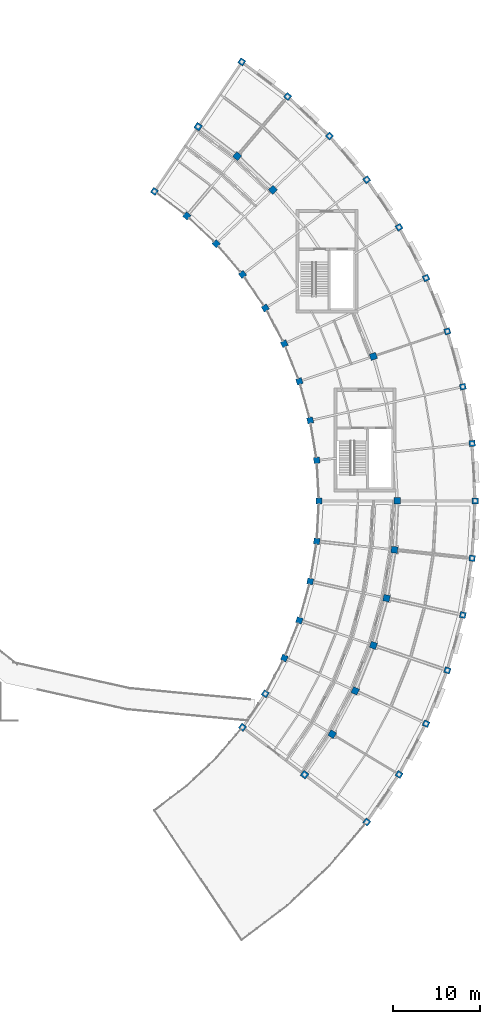
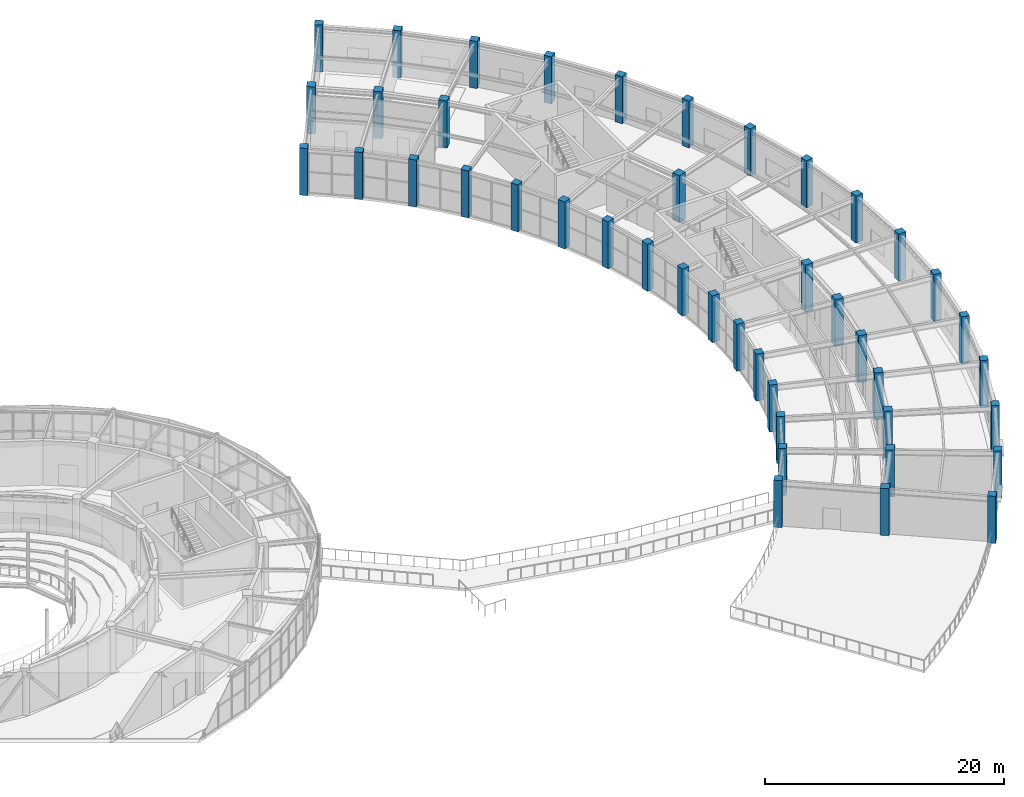
# One storey, part 12 of 100: 43 columns.
"""IFC4 building model written with IfcOpenShell, lengths in metres."""

import ifcopenshell
import ifcopenshell.guid

model = None  # the IFC model being written
_history = None  # IfcOwnerHistory: only IFC2X3 demands one
_inside = {}  # id of a spatial element -> (the spatial element, [elements in it])
_under = {}  # id of a project, library or spatial element -> (it, [spatial elements below it])
_declared = {}  # id of a project -> (the project, [libraries it declares])
_typed = {}  # id of a type object -> (the type object, [elements of that type])
_made_of = {}  # id of a material, layer set ... -> (it, [elements and type objects made of it])


def new_model(schema):
    """Start an empty IFC model of exactly this schema.

    Asked for "IFC4X3", IfcOpenShell would pick the latest addendum, in which some entities
    have other attributes; the version numbers below select the first issue.
    IFC2X3 requires an IfcOwnerHistory on every rooted entity: one is made here for all.
    """
    global model, _history
    if schema == "IFC4X3":
        model = ifcopenshell.file(schema_version=(4, 3, 0, 0))
    else:
        model = ifcopenshell.file(schema=schema)
    _inside.clear()
    _under.clear()
    _declared.clear()
    _typed.clear()
    _made_of.clear()
    _history = None
    if model.schema == "IFC2X3":
        org = make("IfcOrganization", Name="unknown")
        user = make(
            "IfcPersonAndOrganization",
            ThePerson=make("IfcPerson", FamilyName="unknown"),
            TheOrganization=org,
        )
        app = make(
            "IfcApplication",
            ApplicationDeveloper=org,
            Version="unknown",
            ApplicationFullName="unknown",
            ApplicationIdentifier="unknown",
        )
        _history = make(
            "IfcOwnerHistory",
            OwningUser=user,
            OwningApplication=app,
            ChangeAction="ADDED",
            CreationDate=0,
        )
    return model


def make(cls, **values):
    """One entity of the class cls with the attributes given. An attribute that is None is left unset."""
    return model.create_entity(
        cls, **{name: value for name, value in values.items() if value is not None}
    )


def rooted(cls, **values):
    """An entity with a GlobalId (a new one), such as an element, a storey or a relation."""
    return make(cls, GlobalId=ifcopenshell.guid.new(), OwnerHistory=_history, **values)


def si_unit(unit_type, name, prefix=None):
    """IfcSIUnit, for example si_unit("LENGTHUNIT", "METRE", prefix="MILLI")."""
    return make("IfcSIUnit", UnitType=unit_type, Prefix=prefix, Name=name)


def assignment(units):
    """IfcUnitAssignment: the units of a project."""
    return None if units is None else make("IfcUnitAssignment", Units=units)


def point(xyz):
    """IfcCartesianPoint."""
    return None if xyz is None else make("IfcCartesianPoint", Coordinates=xyz)


def direction(xyz):
    """IfcDirection."""
    return None if xyz is None else make("IfcDirection", DirectionRatios=xyz)


def frame(location, z_axis=None, x_axis=None):
    """IfcAxis2Placement3D, a coordinate frame: its origin and axes. An axis left out is left unset."""
    return make(
        "IfcAxis2Placement3D",
        Location=point(location),
        Axis=direction(z_axis),
        RefDirection=direction(x_axis),
    )


def frame_2d(location, x_axis=None):
    """IfcAxis2Placement2D, a coordinate frame in the plane: its origin and x axis."""
    return make(
        "IfcAxis2Placement2D", Location=point(location), RefDirection=direction(x_axis)
    )


def origin():
    """The frame at (0, 0, 0) with its axes left unset."""
    return frame((0.0, 0.0, 0.0))


def origin_2d():
    """The frame at (0, 0) in the plane with its x axis left unset."""
    return frame_2d((0.0, 0.0))


def place(relative_to, where):
    """IfcLocalPlacement: puts the frame where relative to a parent placement (None: the world)."""
    return make(
        "IfcLocalPlacement", PlacementRelTo=relative_to, RelativePlacement=where
    )


def context(
    kind, dimensions, precision=None, world=None, true_north=None, identifier=None
):
    """IfcGeometricRepresentationContext, for example the 3D "Model" context."""
    return make(
        "IfcGeometricRepresentationContext",
        ContextIdentifier=identifier,
        ContextType=kind,
        CoordinateSpaceDimension=dimensions,
        Precision=precision,
        WorldCoordinateSystem=world,
        TrueNorth=true_north,
    )


def subcontext(parent, identifier, kind, view, scale=None):
    """IfcGeometricRepresentationSubContext, for example "Body" below "Model"."""
    return make(
        "IfcGeometricRepresentationSubContext",
        ContextIdentifier=identifier,
        ContextType=kind,
        ParentContext=parent,
        TargetScale=scale,
        TargetView=view,
    )


def project(units=None, contexts=None):
    """IfcProject with its units and contexts."""
    return rooted(
        "IfcProject",
        Name="project",
        RepresentationContexts=contexts,
        UnitsInContext=assignment(units),
    )


def spatial(cls, under=None, at=None, **own):
    """A site, building, storey or space (cls), placed at a placement, below another one or the project."""
    s = rooted(cls, ObjectPlacement=at, **own)
    if under is not None:
        _under.setdefault(under.id(), (under, []))[1].append(s)
    return s


def profile(cls, at=None, kind="AREA", **sizes):
    """A parametric profile (cls). Its sizes go by their IFC names, for example OverallWidth=200.0."""
    return make(cls, ProfileType=kind, Position=at, **sizes)


def rectangle(**sizes):
    """IfcRectangleProfileDef."""
    return profile("IfcRectangleProfileDef", **sizes)


def extrude(swept, where, along, depth):
    """IfcExtrudedAreaSolid: the profile swept, set in the frame where, extruded along a direction by depth."""
    return make(
        "IfcExtrudedAreaSolid",
        SweptArea=swept,
        Position=where,
        ExtrudedDirection=direction(along),
        Depth=depth,
    )


def shape(context_of_items, identifier, shape_type, items):
    """IfcShapeRepresentation: the items that make up one representation, for example the "Body"."""
    return make(
        "IfcShapeRepresentation",
        ContextOfItems=context_of_items,
        RepresentationIdentifier=identifier,
        RepresentationType=shape_type,
        Items=items,
    )


def material(Name=None, Category=None):
    """IfcMaterial."""
    return make("IfcMaterial", Name=Name, Category=Category)


def material_profile(
    of_material, cross_section, Name=None, Category=None, Priority=None
):
    """IfcMaterialProfile: a cross section and its material."""
    return make(
        "IfcMaterialProfile",
        Name=Name,
        Material=of_material,
        Profile=cross_section,
        Priority=Priority,
        Category=Category,
    )


def profile_set(profiles, Name=None, composite=None):
    """IfcMaterialProfileSet."""
    return make(
        "IfcMaterialProfileSet",
        Name=Name,
        MaterialProfiles=profiles,
        CompositeProfile=composite,
    )


def made_of(thing, what):
    """Note that an element or type object is made of a material, layer set ...; save() writes the relation."""
    if what is not None:
        _made_of.setdefault(what.id(), (what, []))[1].append(thing)
    return thing


def type_object(cls, material=None, **own):
    """A type object (cls), such as IfcWallType, which elements share."""
    return made_of(rooted(cls, **own), material)


def element(
    cls,
    number,
    at=None,
    inside=None,
    cuts=None,
    type_object=None,
    material=None,
    context=None,
    identifier="Body",
    shape_type=None,
    held_by="IfcProductDefinitionShape",
    body=None,
    shapes=None,
    **own,
):
    """One element of the class cls, such as IfcWall. Its Tag is "e" and its number.

    at: its placement. inside: the storey or other place that contains it. cuts: it is an
    opening in that element (IfcRelVoidsElement). A single representation is given by context,
    identifier, shape_type and body (its items); several are given by shapes. held_by: the class
    of the entity that holds the representations. save() writes the other relations.
    """
    e = rooted(cls, Tag="e%d" % number, ObjectPlacement=at, **own)
    if body is not None:
        shapes = [shape(context, identifier, shape_type, body)]
    if shapes is not None:
        e.Representation = make(held_by, Representations=shapes)
    if inside is not None:
        _inside.setdefault(inside.id(), (inside, []))[1].append(e)
    if cuts is not None:
        rooted(
            "IfcRelVoidsElement", RelatingBuildingElement=cuts, RelatedOpeningElement=e
        )
    if type_object is not None:
        _typed.setdefault(type_object.id(), (type_object, []))[1].append(e)
    return made_of(e, material)


def aggregate(whole, parts):
    """IfcRelAggregates: a whole, such as a stair, and the parts it consists of."""
    return rooted("IfcRelAggregates", RelatingObject=whole, RelatedObjects=parts)


def save(model, path):
    """Write the relations noted so far, then the file.

    IfcRelAggregates (storeys below a building ...), IfcRelContainedInSpatialStructure (elements
    in a storey), IfcRelDefinesByType, IfcRelAssociatesMaterial and IfcRelDeclares: one each for
    every whole, place, type object, material and project.
    """
    for whole, parts in _under.values():
        aggregate(whole, parts)
    for where, things in _inside.values():
        rooted(
            "IfcRelContainedInSpatialStructure",
            RelatedElements=things,
            RelatingStructure=where,
        )
    for kind, things in _typed.values():
        rooted("IfcRelDefinesByType", RelatedObjects=things, RelatingType=kind)
    for what, things in _made_of.values():
        rooted("IfcRelAssociatesMaterial", RelatedObjects=things, RelatingMaterial=what)
    for by, libraries in _declared.values():
        rooted("IfcRelDeclares", RelatingContext=by, RelatedDefinitions=libraries)
    model.write(path)


model = new_model("IFC4")

# Units and contexts
model_context = context("Model", 3, precision=1e-05, world=origin(), true_north=direction((0.0, 1.0)))
body_context = subcontext(model_context, "Body", "Model", "MODEL_VIEW")
ifc_project = project(units=[si_unit("LENGTHUNIT", "METRE"), si_unit("AREAUNIT", "SQUARE_METRE"), si_unit("VOLUMEUNIT", "CUBIC_METRE"), si_unit("PLANEANGLEUNIT", "RADIAN"), si_unit("MASSUNIT", "GRAM", prefix="KILO")], contexts=[model_context])

# Site, building, storey
site_placement = place(None, origin())
site = spatial("IfcSite", under=ifc_project, at=site_placement, CompositionType="ELEMENT")
building_placement = place(site_placement, origin())
building = spatial("IfcBuilding", under=site, at=building_placement, Name="Tarnveldt Headland Concert Hall", CompositionType="ELEMENT")
storey_placement = place(building_placement, frame((0.0, 0.0, 4.800048828125)))
storey = spatial("IfcBuildingStorey", under=building, at=storey_placement, Name="L01", CompositionType="ELEMENT", Elevation=4.800048828125)

# Columns
ifc_material = material(Name="Concrete C40/50", Category="concrete")
ifc_material_profile_1 = material_profile(ifc_material, rectangle(XDim=0.699951171875, YDim=0.699951171875, at=origin_2d()), Name="RC 700x700", Category="concrete")
ifc_profile_set_1 = profile_set([ifc_material_profile_1], Name="Concrete C40/50")
column_type_1 = type_object("IfcColumnType", Name="CC-700", PredefinedType="COLUMN", material=ifc_profile_set_1)
for number, where, z_axis, x_axis, name in (
    (1, (151.690185546875, 33.922607421875, 0.0), (0.0, 0.0, 1.0), (0.795156077043, -0.60640482612, 0.0), "Column V3C03IN L01"),
    (2, (166.00244140625, 23.006591796875, 0.0), (0.0, 0.0, 1.0), (0.795156077043, -0.60640482612, 0.0), "Column V3C03OUT L01"),
    (3, (154.315185546875, 37.781982421875, 0.0), (0.0, 0.0, 1.0), (0.856176919486, -0.516682767798, 0.0), "Column V3C04IN L01"),
    (4, (169.726318359375, 28.481201171875, 0.0), (0.0, 0.0, 1.0), (0.856176919486, -0.516682767798, 0.0), "Column V3C04OUT L01"),
    (5, (156.50634765625, 41.903076171875, 0.0), (0.0, 0.0, 1.0), (0.907117485088, -0.42087749791, 0.0), "Column V3C05IN L01"),
    (6, (172.834716796875, 34.327392578125, 0.0), (0.0, 0.0, 1.0), (0.907117485088, -0.42087749791, 0.0), "Column V3C05OUT L01"),
    (7, (158.238037109375, 46.2373046875, 0.0), (0.0, 0.0, 1.0), (0.947378020466, -0.320116988518, 0.0), "Column V3C06IN L01"),
    (8, (175.291259765625, 40.476318359375, 0.0), (0.0, 0.0, 1.0), (0.947378020466, -0.320116988518, 0.0), "Column V3C06OUT L01"),
    (9, (159.48974609375, 50.73388671875, 0.0), (0.0, 0.0, 1.0), (0.976522126798, -0.215417120661, 0.0), "Column V3C07IN L01"),
    (10, (177.06689453125, 46.85498046875, 0.0), (0.0, 0.0, 1.0), (0.976522126798, -0.215417120661, 0.0), "Column V3C07OUT L01"),
    (11, (160.24658203125, 55.33935546875, 0.0), (0.0, 0.0, 1.0), (0.994113204519, -0.108346373271, 0.0), "Column V3C08IN L01"),
    (12, (178.140625, 53.388427734375, 0.0), (0.0, 0.0, 1.0), (0.994113204519, -0.108346373271, 0.0), "Column V3C08OUT L01"),
    (13, (160.5, 60.0, 0.0), (0.0, 0.0, 1.0), (1.0, 0.0, 0.0), "Column V3C09IN L01"),
    (14, (178.5, 60.0, 0.0), (0.0, 0.0, 1.0), (1.0, 0.0, 0.0), "Column V3C09OUT L01"),
    (15, (160.24658203125, 64.66064453125, 0.0), (0.0, 0.0, 1.0), (0.994113204519, 0.108346373271, 0.0), "Column V3C10IN L01"),
    (16, (178.140625, 66.611572265625, 0.0), (0.0, 0.0, 1.0), (0.994113204519, 0.108346373271, 0.0), "Column V3C10OUT L01"),
    (17, (159.48974609375, 69.26611328125, 0.0), (0.0, 0.0, 1.0), (0.976522126798, 0.215417120661, 0.0), "Column V3C11IN L01"),
    (18, (177.06689453125, 73.14501953125, 0.0), (0.0, 0.0, 1.0), (0.976522126798, 0.215417120661, 0.0), "Column V3C11OUT L01"),
    (19, (158.238037109375, 73.7626953125, 0.0), (0.0, 0.0, 1.0), (0.947378020466, 0.320116988518, 0.0), "Column V3C12IN L01"),
    (20, (175.291259765625, 79.523681640625, 0.0), (0.0, 0.0, 1.0), (0.947378020466, 0.320116988518, 0.0), "Column V3C12OUT L01"),
    (21, (156.50634765625, 78.096923828125, 0.0), (0.0, 0.0, 1.0), (0.907117485088, 0.42087749791, 0.0), "Column V3C13IN L01"),
    (22, (172.834716796875, 85.672607421875, 0.0), (0.0, 0.0, 1.0), (0.907117485088, 0.42087749791, 0.0), "Column V3C13OUT L01"),
    (23, (154.315185546875, 82.218017578125, 0.0), (0.0, 0.0, 1.0), (0.856176919486, 0.516682767798, 0.0), "Column V3C14IN L01"),
    (24, (169.726318359375, 91.518798828125, 0.0), (0.0, 0.0, 1.0), (0.856176919486, 0.516682767798, 0.0), "Column V3C14OUT L01"),
    (25, (151.690185546875, 86.077392578125, 0.0), (0.0, 0.0, 1.0), (0.795156077043, 0.60640482612, 0.0), "Column V3C15IN L01"),
    (26, (166.00244140625, 96.993408203125, 0.0), (0.0, 0.0, 1.0), (0.795156077043, 0.60640482612, 0.0), "Column V3C15OUT L01"),
    (27, (148.662353515625, 89.62939453125, 0.0), (0.0, 0.0, 1.0), (0.724653130187, 0.689113808387, 0.0), "Column V3C16IN L01"),
    (28, (161.70703125, 102.032470703125, 0.0), (0.0, 0.0, 1.0), (0.724653130187, 0.689113808387, 0.0), "Column V3C16OUT L01"),
    (29, (145.267333984375, 92.83251953125, 0.0), (0.0, 0.0, 1.0), (0.645724263505, 0.763570674869, 0.0), "Column V3C17IN L01"),
    (30, (156.89111328125, 106.576416015625, 0.0), (0.0, 0.0, 1.0), (0.645724263505, 0.763570674869, 0.0), "Column V3C17OUT L01"),
    (31, (141.54541015625, 95.648681640625, 0.0), (0.0, 0.0, 1.0), (0.559192903471, 0.829037572555, 0.0), "Column V3C18IN L01"),
    (32, (151.61083984375, 110.5712890625, 0.0), (0.0, 0.0, 1.0), (0.559192903471, 0.829037572555, 0.0), "Column V3C18OUT L01"),
):
    element("IfcColumn", number, at=place(storey_placement, frame(where, z_axis=z_axis, x_axis=x_axis)), inside=storey, type_object=column_type_1, Name=name, PredefinedType="COLUMN", context=body_context, shape_type="SweptSolid", body=[
        extrude(rectangle(XDim=0.699951171875, YDim=0.699951171875, at=origin_2d()), origin(), (0.0, 0.0, 1.0), 4.800048828125),
    ])
ifc_material_profile_2 = material_profile(ifc_material, rectangle(XDim=0.75, YDim=0.75, at=origin_2d()), Name="RC 750x750", Category="concrete")
ifc_profile_set_2 = profile_set([ifc_material_profile_2], Name="Concrete C40/50")
column_type_2 = type_object("IfcColumnType", Name="CC-750", PredefinedType="COLUMN", material=ifc_profile_set_2)
for number, where, z_axis, x_axis, name in (
    (33, (158.84619140625, 28.464599609375, 0.0), (0.0, 0.0, 1.0), (0.795156077043, -0.60640482612, 0.0), "Column V3C03MD L01"),
    (34, (162.020751953125, 33.131591796875, 0.0), (0.0, 0.0, 1.0), (0.856176919486, -0.516682767798, 0.0), "Column V3C04MD L01"),
    (35, (164.67041015625, 38.115234375, 0.0), (0.0, 0.0, 1.0), (0.907117485088, -0.42087749791, 0.0), "Column V3C05MD L01"),
    (36, (166.7646484375, 43.356689453125, 0.0), (0.0, 0.0, 1.0), (0.947378020466, -0.320116988518, 0.0), "Column V3C06MD L01"),
    (37, (168.2783203125, 48.79443359375, 0.0), (0.0, 0.0, 1.0), (0.976522126798, -0.215417120661, 0.0), "Column V3C07MD L01"),
    (38, (169.193603515625, 54.364013671875, 0.0), (0.0, 0.0, 1.0), (0.994113204519, -0.108346373271, 0.0), "Column V3C08MD L01"),
    (39, (169.5, 60.0, 0.0), (0.0, 0.0, 1.0), (1.0, 0.0, 0.0), "Column V3C09MD L01"),
    (40, (166.7646484375, 76.643310546875, 0.0), (0.0, 0.0, 1.0), (0.947378020466, 0.320116988518, 0.0), "Column V3C12MD L01"),
    (41, (155.184814453125, 95.8310546875, 0.0), (0.0, 0.0, 1.0), (0.724653130187, 0.689113808387, 0.0), "Column V3C16MD L01"),
    (42, (151.0791015625, 99.704345703125, 0.0), (0.0, 0.0, 1.0), (0.645724263505, 0.763570674869, 0.0), "Column V3C17MD L01"),
    (43, (146.577880859375, 103.110107421875, 0.0), (0.0, 0.0, 1.0), (0.559192903471, 0.829037572555, 0.0), "Column V3C18MD L01"),
):
    element("IfcColumn", number, at=place(storey_placement, frame(where, z_axis=z_axis, x_axis=x_axis)), inside=storey, type_object=column_type_2, Name=name, PredefinedType="COLUMN", context=body_context, shape_type="SweptSolid", body=[
        extrude(rectangle(XDim=0.75, YDim=0.75, at=origin_2d()), origin(), (0.0, 0.0, 1.0), 4.800048828125),
    ])

save(model, "model.ifc")
